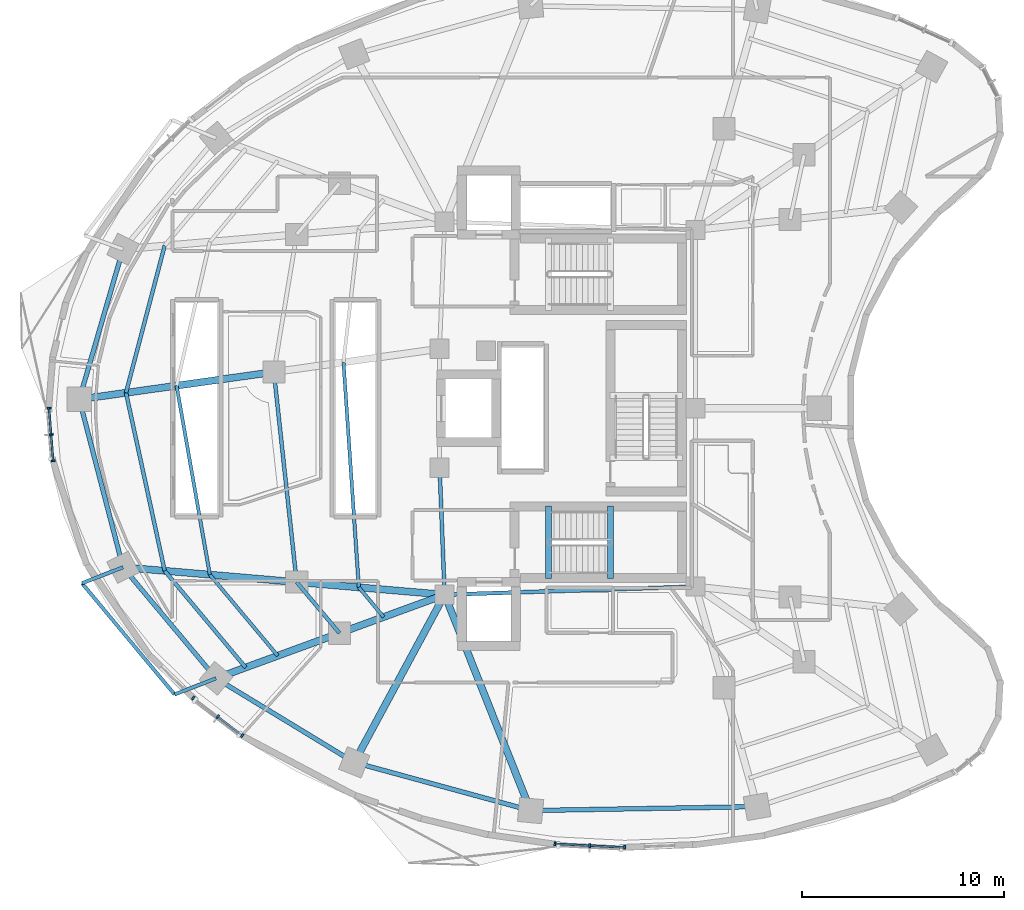
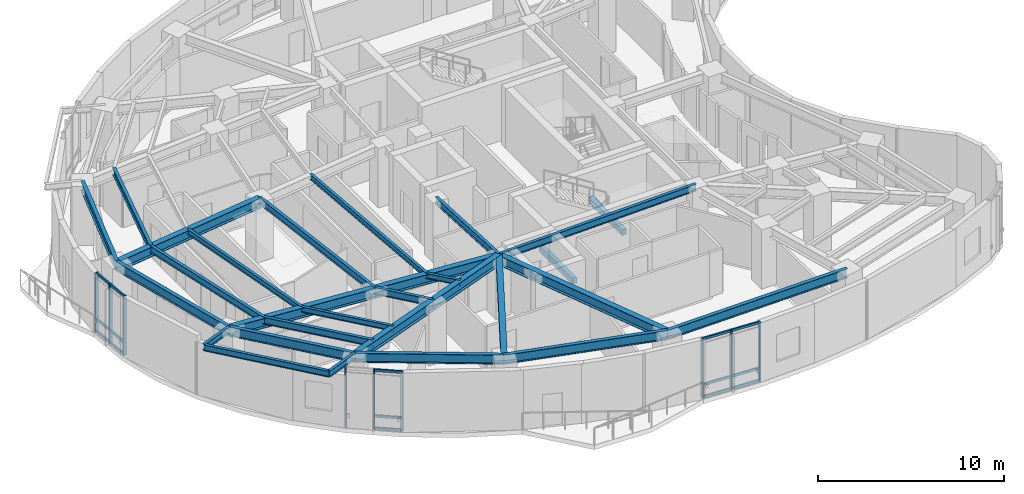
# One storey, part 2 of 15: 29 beams, 24 members, 3 elements without a shape of their own.
"""IFC4 building model written with IfcOpenShell, lengths in metres."""

from ifc_helpers import new_model, si_unit, direction, frame, origin, origin_2d, place, context, subcontext, project, spatial, rectangle, i_section, extrude, material, layer, layer_set, material_profile, profile_set, type_object, element, aggregate, save


model = new_model("IFC4")

# Units and contexts
model_context = context("Model", 3, precision=1e-05, world=origin(), true_north=direction((0.0, 1.0)))
body_context = subcontext(model_context, "Body", "Model", "MODEL_VIEW")
ifc_project = project(units=[si_unit("LENGTHUNIT", "METRE"), si_unit("AREAUNIT", "SQUARE_METRE"), si_unit("VOLUMEUNIT", "CUBIC_METRE"), si_unit("PLANEANGLEUNIT", "RADIAN"), si_unit("MASSUNIT", "GRAM", prefix="KILO")], contexts=[model_context])

# Site, building, storey
site_placement = place(None, origin())
site = spatial("IfcSite", under=ifc_project, at=site_placement, CompositionType="ELEMENT")
building_placement = place(site_placement, origin())
building = spatial("IfcBuilding", under=site, at=building_placement, Name="Korentha Bioscience Tower", CompositionType="ELEMENT")
storey_placement = place(building_placement, frame((0.0, 0.0, 94.199951171875)))
storey = spatial("IfcBuildingStorey", under=building, at=storey_placement, Name="L21", CompositionType="ELEMENT", Elevation=94.199951171875)

# Beams
ifc_material_1 = material(Name="Concrete C50", Category="concrete")
ifc_material_profile_1 = material_profile(ifc_material_1, rectangle(XDim=0.280029296875, YDim=0.3798828125, at=origin_2d()), Name="Concrete C50")
ifc_profile_set_1 = profile_set([ifc_material_profile_1], Name="Concrete C50 (ST-HB380)")
beam_type_1 = type_object("IfcBeamType", Name="Concrete Stair Header Beam RC 280x380", PredefinedType="BEAM", material=ifc_profile_set_1)
for number, where, z_axis, x_axis, name in (
    (1, (30.25, 18.550048828125, -0.18994140625), (0.0, 1.0, 0.0), (-1.0, 0.0, 0.0), "L21 ST-2 Concrete Stair Header Beam"),
    (2, (33.330078125, 18.550048828125, 1.91015625), (0.0, 1.0, 0.0), (-1.0, 0.0, 0.0), "L21 ST-2 Half-Landing Header Beam 1"),
):
    element("IfcBeam", number, at=place(storey_placement, frame(where, z_axis=z_axis, x_axis=x_axis)), inside=storey, type_object=beam_type_1, Name=name, PredefinedType="BEAM", context=body_context, shape_type="SweptSolid", body=[
        extrude(rectangle(XDim=0.280029296875, YDim=0.3798828125, at=origin_2d()), origin(), (0.0, 0.0, 1.0), 3.599853515625),
    ])
ifc_material_2 = material(Name="Steel S355", Category="steel")
ifc_material_profile_2 = material_profile(ifc_material_2, i_section(OverallWidth=0.18994140625, OverallDepth=0.45703125, WebThickness=0.009033203125, FlangeThickness=0.014404296875, at=origin_2d()), Name="Steel S355")
ifc_profile_set_2 = profile_set([ifc_material_profile_2], Name="Steel S355 (MB-460)")
beam_type_2 = type_object("IfcBeamType", Name="Mid-Ring Tie Girder W460x74", PredefinedType="BEAM", material=ifc_profile_set_2)
beam_1_placement = place(storey_placement, frame((16.627197265625, 28.796630859375, 3.671630859375), z_axis=(0.108002632645, -0.994150607977, 0.0), x_axis=(0.994150607977, 0.108002632645, 0.0)))
element("IfcBeam", 3, at=beam_1_placement, inside=storey, type_object=beam_type_2, Name="L21 Mid-Ring Tie Girder 07", PredefinedType="BEAM", context=body_context, shape_type="SweptSolid", body=[
    extrude(i_section(OverallWidth=0.18994140625, OverallDepth=0.45703125, WebThickness=0.009033203125, FlangeThickness=0.014404296875, at=origin_2d()), origin(), (0.0, 0.0, 1.0), 10.48193359375),
])
beam_2_placement = place(storey_placement, frame((17.75927734375, 18.3759765625, 3.671630859375), z_axis=(0.642121371708, -0.766602989817, 0.0), x_axis=(0.766602989817, 0.642121371708, 0.0)))
element("IfcBeam", 4, at=beam_2_placement, inside=storey, type_object=beam_type_2, Name="L21 Mid-Ring Tie Girder 08", PredefinedType="BEAM", context=body_context, shape_type="SweptSolid", body=[
    extrude(i_section(OverallWidth=0.18994140625, OverallDepth=0.45703125, WebThickness=0.009033203125, FlangeThickness=0.014404296875, at=origin_2d()), origin(), (0.0, 0.0, 1.0), 3.306640625),
])
beam_3_placement = place(storey_placement, frame((24.85009765625, 24.050048828125, 3.671630859375), z_axis=(0.039651025576, -0.999213588864, 0.0), x_axis=(0.999213588864, 0.039651025576, 0.0)))
element("IfcBeam", 5, at=beam_3_placement, inside=storey, type_object=beam_type_2, Name="L21 Core Ring Tie Girder 04", PredefinedType="BEAM", context=body_context, shape_type="SweptSolid", body=[
    extrude(i_section(OverallWidth=0.18994140625, OverallDepth=0.45703125, WebThickness=0.009033203125, FlangeThickness=0.014404296875, at=origin_2d()), origin(), (0.0, 0.0, 1.0), 6.304931640625),
])
beam_4_placement = place(storey_placement, frame((25.10009765625, 17.75, 3.671630859375), z_axis=(0.999484526071, 0.032104238723, 0.0), x_axis=(-0.032104238723, 0.999484526071, 0.0)))
element("IfcBeam", 6, at=beam_4_placement, inside=storey, type_object=beam_type_2, Name="L21 Core Ring Tie Girder 05", PredefinedType="BEAM", context=body_context, shape_type="SweptSolid", body=[
    extrude(i_section(OverallWidth=0.18994140625, OverallDepth=0.45703125, WebThickness=0.009033203125, FlangeThickness=0.014404296875, at=origin_2d()), origin(), (0.0, 0.0, 1.0), 12.456298828125),
])

# Curtain wall, members
ifc_material_3 = material(Name="Thermally Broken Aluminium Frame", Category="aluminium")
ifc_layer = layer(ifc_material_3, 0.219970703125, Name="Thermally Broken Aluminium Frame")
ifc_layer_set = layer_set([ifc_layer], Name="Thermally Broken Aluminium Frame (CW-T2)")
curtain_wall_type = type_object("IfcCurtainWallType", Name="Solar-Screened Lab Unitised Curtain Wall CW-T2", PredefinedType="USERDEFINED", material=ifc_layer_set)
curtain_wall_1_placement = place(storey_placement, origin())
curtain_wall_1 = element("IfcCurtainWall", 7, at=curtain_wall_1_placement, inside=storey, type_object=curtain_wall_type, Name="L21 Curtain Wall 19", ObjectType="UNITISED", PredefinedType="USERDEFINED")
ifc_material_4 = material(Name="Anodised Aluminium 6063-T6", Category="aluminium")
ifc_material_profile_3 = material_profile(ifc_material_4, rectangle(XDim=0.090087890625, YDim=0.199951171875, at=origin_2d()), Name="Anodised Aluminium 6063-T6")
ifc_profile_set_3 = profile_set([ifc_material_profile_3], Name="Anodised Aluminium 6063-T6 (CW-MUL)")
member_type_1 = type_object("IfcMemberType", Name="Mullion RECT 90x200", PredefinedType="MULLION", material=ifc_profile_set_3)
member_1_placement = place(storey_placement, frame((5.473876953125, 27.0078125, 0.0), z_axis=(0.0, 0.0, 1.0), x_axis=(0.079130214674, -0.996864288219, 0.0)))
member_1 = element("IfcMember", 8, at=member_1_placement, type_object=member_type_1, Name="CW-L21-19 Mullion 1", PredefinedType="MULLION", context=body_context, shape_type="SweptSolid", body=[
    extrude(rectangle(XDim=0.090087890625, YDim=0.199951171875, at=origin_2d()), origin(), (0.0, 0.0, 1.0), 3.900146484375),
])
member_2_placement = place(storey_placement, frame((5.577880859375, 25.6962890625, 0.0), z_axis=(0.0, 0.0, 1.0), x_axis=(0.079130214674, -0.996864288219, 0.0)))
member_2 = element("IfcMember", 9, at=member_2_placement, type_object=member_type_1, Name="CW-L21-19 Mullion 2", PredefinedType="MULLION", context=body_context, shape_type="SweptSolid", body=[
    extrude(rectangle(XDim=0.090087890625, YDim=0.199951171875, at=origin_2d()), origin(), (0.0, 0.0, 1.0), 3.900146484375),
])
member_3_placement = place(storey_placement, frame((5.681884765625, 24.38525390625, 0.0), z_axis=(0.0, 0.0, 1.0), x_axis=(0.079130214674, -0.996864288219, 0.0)))
member_3 = element("IfcMember", 10, at=member_3_placement, type_object=member_type_1, Name="CW-L21-19 Mullion 3", PredefinedType="MULLION", context=body_context, shape_type="SweptSolid", body=[
    extrude(rectangle(XDim=0.090087890625, YDim=0.199951171875, at=origin_2d()), origin(), (0.0, 0.0, 1.0), 3.900146484375),
])

curtain_wall_2_placement = place(storey_placement, origin())
curtain_wall_2 = element("IfcCurtainWall", 11, at=curtain_wall_2_placement, inside=storey, type_object=curtain_wall_type, Name="L21 Curtain Wall 25", ObjectType="UNITISED", PredefinedType="USERDEFINED")
member_4_placement = place(storey_placement, frame((12.624267578125, 12.62890625, 0.0), z_axis=(0.0, 0.0, 1.0), x_axis=(0.794499603893, -0.607264669986, 0.0)))
member_4 = element("IfcMember", 12, at=member_4_placement, type_object=member_type_1, Name="CW-L21-25 Mullion 1", PredefinedType="MULLION", context=body_context, shape_type="SweptSolid", body=[
    extrude(rectangle(XDim=0.090087890625, YDim=0.199951171875, at=origin_2d()), origin(), (0.0, 0.0, 1.0), 3.900146484375),
])
member_5_placement = place(storey_placement, frame((13.844970703125, 11.69580078125, 0.0), z_axis=(0.0, 0.0, 1.0), x_axis=(0.794499603893, -0.607264669986, 0.0)))
member_5 = element("IfcMember", 13, at=member_5_placement, type_object=member_type_1, Name="CW-L21-25 Mullion 2", PredefinedType="MULLION", context=body_context, shape_type="SweptSolid", body=[
    extrude(rectangle(XDim=0.090087890625, YDim=0.199951171875, at=origin_2d()), origin(), (0.0, 0.0, 1.0), 3.900146484375),
])
member_6_placement = place(storey_placement, frame((15.0654296875, 10.7626953125, 0.0), z_axis=(0.0, 0.0, 1.0), x_axis=(0.794499603893, -0.607264669986, 0.0)))
member_6 = element("IfcMember", 14, at=member_6_placement, type_object=member_type_1, Name="CW-L21-25 Mullion 3", PredefinedType="MULLION", context=body_context, shape_type="SweptSolid", body=[
    extrude(rectangle(XDim=0.090087890625, YDim=0.199951171875, at=origin_2d()), origin(), (0.0, 0.0, 1.0), 3.900146484375),
])

curtain_wall_3_placement = place(storey_placement, origin())
curtain_wall_3 = element("IfcCurtainWall", 15, at=curtain_wall_3_placement, inside=storey, type_object=curtain_wall_type, Name="L21 Curtain Wall 31", ObjectType="UNITISED", PredefinedType="USERDEFINED")
member_7_placement = place(storey_placement, frame((30.571533203125, 5.39111328125, 0.0), z_axis=(0.0, 0.0, 1.0), x_axis=(0.998673231344, -0.051495407527, 0.0)))
member_7 = element("IfcMember", 16, at=member_7_placement, type_object=member_type_1, Name="CW-L21-31 Mullion 1", PredefinedType="MULLION", context=body_context, shape_type="SweptSolid", body=[
    extrude(rectangle(XDim=0.090087890625, YDim=0.199951171875, at=origin_2d()), origin(), (0.0, 0.0, 1.0), 3.900146484375),
])
member_8_placement = place(storey_placement, frame((32.301025390625, 5.302001953125, 0.0), z_axis=(0.0, 0.0, 1.0), x_axis=(0.998673231344, -0.051495407527, 0.0)))
member_8 = element("IfcMember", 17, at=member_8_placement, type_object=member_type_1, Name="CW-L21-31 Mullion 2", PredefinedType="MULLION", context=body_context, shape_type="SweptSolid", body=[
    extrude(rectangle(XDim=0.090087890625, YDim=0.199951171875, at=origin_2d()), origin(), (0.0, 0.0, 1.0), 3.900146484375),
])
member_9_placement = place(storey_placement, frame((34.03076171875, 5.212646484375, 0.0), z_axis=(0.0, 0.0, 1.0), x_axis=(0.998673231344, -0.051495407527, 0.0)))
member_9 = element("IfcMember", 18, at=member_9_placement, type_object=member_type_1, Name="CW-L21-31 Mullion 3", PredefinedType="MULLION", context=body_context, shape_type="SweptSolid", body=[
    extrude(rectangle(XDim=0.090087890625, YDim=0.199951171875, at=origin_2d()), origin(), (0.0, 0.0, 1.0), 3.900146484375),
])

# Beams
ifc_material_profile_4 = material_profile(ifc_material_2, i_section(OverallWidth=0.22802734375, OverallDepth=0.60791015625, WebThickness=0.01123046875, FlangeThickness=0.017333984375, at=origin_2d()), Name="Steel S355")
ifc_profile_set_4 = profile_set([ifc_material_profile_4], Name="Steel S355 (SB-610)")
beam_type_3 = type_object("IfcBeamType", Name="Perimeter Ring Spandrel Girder W610x113", PredefinedType="SPANDREL", material=ifc_profile_set_4)
beam_5_placement = place(storey_placement, frame((9.141845703125, 34.889404296875, 3.595947265625), z_axis=(-0.279486251653, -0.960149694129, 0.0), x_axis=(0.960149694129, -0.279486251653, 0.0)))
element("IfcBeam", 19, at=beam_5_placement, inside=storey, type_object=beam_type_3, Name="L21 Perimeter Spandrel Girder 06", PredefinedType="SPANDREL", context=body_context, shape_type="SweptSolid", body=[
    extrude(i_section(OverallWidth=0.22802734375, OverallDepth=0.60791015625, WebThickness=0.01123046875, FlangeThickness=0.017333984375, at=origin_2d()), origin(), (0.0, 0.0, 1.0), 7.756103515625),
])
beam_6_placement = place(storey_placement, frame((6.97412109375, 27.4423828125, 3.595947265625), z_axis=(0.251792692694, -0.96778119423, 0.0), x_axis=(0.96778119423, 0.251792692694, 0.0)))
element("IfcBeam", 20, at=beam_6_placement, inside=storey, type_object=beam_type_3, Name="L21 Perimeter Spandrel Girder 07", PredefinedType="SPANDREL", context=body_context, shape_type="SweptSolid", body=[
    extrude(i_section(OverallWidth=0.22802734375, OverallDepth=0.60791015625, WebThickness=0.01123046875, FlangeThickness=0.017333984375, at=origin_2d()), origin(), (0.0, 0.0, 1.0), 8.609130859375),
])
beam_7_placement = place(storey_placement, frame((9.141845703125, 19.110595703125, 3.595947265625), z_axis=(0.642126556076, -0.76659864726, 0.0), x_axis=(0.76659864726, 0.642126556076, 0.0)))
element("IfcBeam", 21, at=beam_7_placement, inside=storey, type_object=beam_type_3, Name="L21 Perimeter Spandrel Girder 08", PredefinedType="SPANDREL", context=body_context, shape_type="SweptSolid", body=[
    extrude(i_section(OverallWidth=0.22802734375, OverallDepth=0.60791015625, WebThickness=0.01123046875, FlangeThickness=0.017333984375, at=origin_2d()), origin(), (0.0, 0.0, 1.0), 7.1884765625),
])
beam_8_placement = place(storey_placement, frame((13.7578125, 13.599853515625, 3.595947265625), z_axis=(0.854461040474, -0.51951547649, 0.0), x_axis=(0.51951547649, 0.854461040474, 0.0)))
element("IfcBeam", 22, at=beam_8_placement, inside=storey, type_object=beam_type_3, Name="L21 Perimeter Spandrel Girder 09", PredefinedType="SPANDREL", context=body_context, shape_type="SweptSolid", body=[
    extrude(i_section(OverallWidth=0.22802734375, OverallDepth=0.60791015625, WebThickness=0.01123046875, FlangeThickness=0.017333984375, at=origin_2d()), origin(), (0.0, 0.0, 1.0), 8.025146484375),
])
beam_9_placement = place(storey_placement, frame((20.614990234375, 9.4306640625, 3.595947265625), z_axis=(0.964659386444, -0.263500034431, 0.0), x_axis=(0.263500034431, 0.964659386444, 0.0)))
element("IfcBeam", 23, at=beam_9_placement, inside=storey, type_object=beam_type_3, Name="L21 Perimeter Spandrel Girder 10", PredefinedType="SPANDREL", context=body_context, shape_type="SweptSolid", body=[
    extrude(i_section(OverallWidth=0.22802734375, OverallDepth=0.60791015625, WebThickness=0.01123046875, FlangeThickness=0.017333984375, at=origin_2d()), origin(), (0.0, 0.0, 1.0), 9.06982421875),
])
beam_10_placement = place(storey_placement, frame((29.3642578125, 7.040771484375, 3.595947265625), z_axis=(0.999850566826, 0.017287105523, 0.0), x_axis=(-0.017287105523, 0.999850566826, 0.0)))
element("IfcBeam", 24, at=beam_10_placement, inside=storey, type_object=beam_type_3, Name="L21 Perimeter Spandrel Girder 11", PredefinedType="SPANDREL", context=body_context, shape_type="SweptSolid", body=[
    extrude(i_section(OverallWidth=0.22802734375, OverallDepth=0.60791015625, WebThickness=0.01123046875, FlangeThickness=0.017333984375, at=origin_2d()), origin(), (0.0, 0.0, 1.0), 11.24169921875),
])
ifc_material_profile_5 = material_profile(ifc_material_2, i_section(OverallWidth=0.18994140625, OverallDepth=0.45703125, WebThickness=0.009033203125, FlangeThickness=0.014404296875, at=origin_2d()), Name="Steel S355")
ifc_profile_set_5 = profile_set([ifc_material_profile_5], Name="Steel S355 (RB-460)")
beam_type_4 = type_object("IfcBeamType", Name="Radial Laboratory Beam W460x74", PredefinedType="BEAM", material=ifc_profile_set_5)
beam_11_placement = place(storey_placement, frame((11.2099609375, 35.065673828125, 3.671630859375), z_axis=(-0.254294231014, -0.967126901742, 0.0), x_axis=(0.967126901742, -0.254294231014, 0.0)))
element("IfcBeam", 25, at=beam_11_placement, inside=storey, type_object=beam_type_4, Name="L21 Secondary Floor Beam JSTO-06", PredefinedType="BEAM", context=body_context, shape_type="SweptSolid", body=[
    extrude(i_section(OverallWidth=0.18994140625, OverallDepth=0.45703125, WebThickness=0.009033203125, FlangeThickness=0.014404296875, at=origin_2d()), origin(), (0.0, 0.0, 1.0), 7.546142578125),
])
beam_12_placement = place(storey_placement, frame((9.291015625, 27.767578125, 3.671630859375), z_axis=(0.212289478944, -0.977206824132, 0.0), x_axis=(0.977206824132, 0.212289478944, 0.0)))
element("IfcBeam", 26, at=beam_12_placement, inside=storey, type_object=beam_type_4, Name="L21 Secondary Floor Beam JSTO-07", PredefinedType="BEAM", context=body_context, shape_type="SweptSolid", body=[
    extrude(i_section(OverallWidth=0.18994140625, OverallDepth=0.45703125, WebThickness=0.009033203125, FlangeThickness=0.014404296875, at=origin_2d()), origin(), (0.0, 0.0, 1.0), 9.039306640625),
])
beam_13_placement = place(storey_placement, frame((11.2099609375, 18.934326171875, 3.671630859375), z_axis=(0.642128156066, -0.766597307057, 0.0), x_axis=(0.766597307057, 0.642128156066, 0.0)))
element("IfcBeam", 27, at=beam_13_placement, inside=storey, type_object=beam_type_4, Name="L21 Secondary Floor Beam JSTO-08", PredefinedType="BEAM", context=body_context, shape_type="SweptSolid", body=[
    extrude(i_section(OverallWidth=0.18994140625, OverallDepth=0.45703125, WebThickness=0.009033203125, FlangeThickness=0.014404296875, at=origin_2d()), origin(), (0.0, 0.0, 1.0), 6.257080078125),
])
ifc_material_profile_6 = material_profile(ifc_material_2, i_section(OverallWidth=0.35009765625, OverallDepth=0.64990234375, WebThickness=0.01611328125, FlangeThickness=0.02490234375, at=origin_2d()), Name="Steel S355")
ifc_profile_set_6 = profile_set([ifc_material_profile_6], Name="Steel S355 (RB-650)")
beam_type_5 = type_object("IfcBeamType", Name="Radial Laboratory Girder CVS 650x208", PredefinedType="BEAM", material=ifc_profile_set_6)
beam_14_placement = place(storey_placement, frame((16.627197265625, 28.796630859375, 3.574951171875), z_axis=(-0.99030201931, -0.138931315944, 0.0), x_axis=(0.138931315944, -0.99030201931, 0.0)))
element("IfcBeam", 28, at=beam_14_placement, inside=storey, type_object=beam_type_5, Name="L21 Outer Radial Girder 07", PredefinedType="BEAM", context=body_context, shape_type="SweptSolid", body=[
    extrude(i_section(OverallWidth=0.35009765625, OverallDepth=0.64990234375, WebThickness=0.01611328125, FlangeThickness=0.02490234375, at=origin_2d()), origin(), (0.0, 0.0, 1.0), 9.74755859375),
])
beam_15_placement = place(storey_placement, frame((25.10009765625, 17.75, 3.574951171875), z_axis=(-0.996383934197, 0.084965026183, 0.0), x_axis=(-0.084965026183, -0.996383934197, 0.0)))
element("IfcBeam", 29, at=beam_15_placement, inside=storey, type_object=beam_type_5, Name="L21 Inner Radial Girder 08", PredefinedType="BEAM", context=body_context, shape_type="SweptSolid", body=[
    extrude(i_section(OverallWidth=0.35009765625, OverallDepth=0.64990234375, WebThickness=0.01611328125, FlangeThickness=0.02490234375, at=origin_2d()), origin(), (0.0, 0.0, 1.0), 7.367431640625),
])
beam_16_placement = place(storey_placement, frame((17.75927734375, 18.3759765625, 3.574951171875), z_axis=(-0.996386071548, 0.084939957767, 0.0), x_axis=(-0.084939957767, -0.996386071548, 0.0)))
element("IfcBeam", 30, at=beam_16_placement, inside=storey, type_object=beam_type_5, Name="L21 Outer Radial Girder 08", PredefinedType="BEAM", context=body_context, shape_type="SweptSolid", body=[
    extrude(i_section(OverallWidth=0.35009765625, OverallDepth=0.64990234375, WebThickness=0.01611328125, FlangeThickness=0.02490234375, at=origin_2d()), origin(), (0.0, 0.0, 1.0), 8.648681640625),
])
beam_17_placement = place(storey_placement, frame((25.10009765625, 17.75, 3.574951171875), z_axis=(-0.939118010396, -0.343594765022, 0.0), x_axis=(0.343594765022, -0.939118010396, 0.0)))
element("IfcBeam", 31, at=beam_17_placement, inside=storey, type_object=beam_type_5, Name="L21 Inner Radial Girder 09", PredefinedType="BEAM", context=body_context, shape_type="SweptSolid", body=[
    extrude(i_section(OverallWidth=0.35009765625, OverallDepth=0.64990234375, WebThickness=0.01611328125, FlangeThickness=0.02490234375, at=origin_2d()), origin(), (0.0, 0.0, 1.0), 5.5556640625),
])
beam_18_placement = place(storey_placement, frame((19.882568359375, 15.841064453125, 3.574951171875), z_axis=(-0.939100755225, -0.343641923425, 0.0), x_axis=(0.343641923425, -0.939100755225, 0.0)))
element("IfcBeam", 32, at=beam_18_placement, inside=storey, type_object=beam_type_5, Name="L21 Outer Radial Girder 09", PredefinedType="BEAM", context=body_context, shape_type="SweptSolid", body=[
    extrude(i_section(OverallWidth=0.35009765625, OverallDepth=0.64990234375, WebThickness=0.01611328125, FlangeThickness=0.02490234375, at=origin_2d()), origin(), (0.0, 0.0, 1.0), 6.52197265625),
])
beam_19_placement = place(storey_placement, frame((25.10009765625, 17.75, 3.574951171875), z_axis=(-0.474548018732, -0.880229616587, 0.0), x_axis=(0.880229616587, -0.474548018732, 0.0)))
element("IfcBeam", 33, at=beam_19_placement, inside=storey, type_object=beam_type_5, Name="L21 Radial Girder 10", PredefinedType="BEAM", context=body_context, shape_type="SweptSolid", body=[
    extrude(i_section(OverallWidth=0.35009765625, OverallDepth=0.64990234375, WebThickness=0.01611328125, FlangeThickness=0.02490234375, at=origin_2d()), origin(), (0.0, 0.0, 1.0), 9.451416015625),
])
beam_20_placement = place(storey_placement, frame((25.10009765625, 17.75, 3.574951171875), z_axis=(0.369929528493, -0.929059817207, 0.0), x_axis=(0.929059817207, 0.369929528493, 0.0)))
element("IfcBeam", 34, at=beam_20_placement, inside=storey, type_object=beam_type_5, Name="L21 Radial Girder 11", PredefinedType="BEAM", context=body_context, shape_type="SweptSolid", body=[
    extrude(i_section(OverallWidth=0.35009765625, OverallDepth=0.64990234375, WebThickness=0.01611328125, FlangeThickness=0.02490234375, at=origin_2d()), origin(), (0.0, 0.0, 1.0), 11.52685546875),
])
ifc_material_profile_7 = material_profile(ifc_material_2, i_section(OverallWidth=0.1708984375, OverallDepth=0.35498046875, WebThickness=0.007080078125, FlangeThickness=0.01171875, at=origin_2d()), Name="Steel S355")
ifc_profile_set_7 = profile_set([ifc_material_profile_7], Name="Steel S355 (JB-360)")
beam_type_6 = type_object("IfcBeamType", Name="Secondary Laboratory Joist W360x51", PredefinedType="JOIST", material=ifc_profile_set_7)
beam_21_placement = place(storey_placement, frame((11.800537109375, 28.11962890625, 3.72265625), z_axis=(0.173304009699, -0.984868377105, 0.0), x_axis=(0.984868377105, 0.173304009699, 0.0)))
element("IfcBeam", 35, at=beam_21_placement, inside=storey, type_object=beam_type_6, Name="L21 Secondary Floor Beam JST-07", PredefinedType="JOIST", context=body_context, shape_type="SweptSolid", body=[
    extrude(i_section(OverallWidth=0.1708984375, OverallDepth=0.35498046875, WebThickness=0.007080078125, FlangeThickness=0.01171875, at=origin_2d()), origin(), (0.0, 0.0, 1.0), 9.520263671875),
])
beam_22_placement = place(storey_placement, frame((20.080810546875, 29.281005859375, 3.72265625), z_axis=(0.068025861704, -0.997683558118, 0.0), x_axis=(0.997683558118, 0.068025861704, 0.0)))
element("IfcBeam", 36, at=beam_22_placement, inside=storey, type_object=beam_type_6, Name="L21 Inner Bay Joist 07", PredefinedType="JOIST", context=body_context, shape_type="SweptSolid", body=[
    extrude(i_section(OverallWidth=0.1708984375, OverallDepth=0.35498046875, WebThickness=0.007080078125, FlangeThickness=0.01171875, at=origin_2d()), origin(), (0.0, 0.0, 1.0), 11.19384765625),
])
beam_23_placement = place(storey_placement, frame((13.450439453125, 18.743408203125, 3.72265625), z_axis=(0.642140812018, -0.76658670582, 0.0), x_axis=(0.76658670582, 0.642140812018, 0.0)))
element("IfcBeam", 37, at=beam_23_placement, inside=storey, type_object=beam_type_6, Name="L21 Secondary Floor Beam JST-08", PredefinedType="JOIST", context=body_context, shape_type="SweptSolid", body=[
    extrude(i_section(OverallWidth=0.1708984375, OverallDepth=0.35498046875, WebThickness=0.007080078125, FlangeThickness=0.01171875, at=origin_2d()), origin(), (0.0, 0.0, 1.0), 5.247802734375),
])
beam_24_placement = place(storey_placement, frame((20.84228515625, 18.113037109375, 3.72265625), z_axis=(0.64218549873, -0.766549271229, 0.0), x_axis=(0.766549271229, 0.64218549873, 0.0)))
element("IfcBeam", 38, at=beam_24_placement, inside=storey, type_object=beam_type_6, Name="L21 Inner Bay Joist 08", PredefinedType="JOIST", context=body_context, shape_type="SweptSolid", body=[
    extrude(i_section(OverallWidth=0.1708984375, OverallDepth=0.35498046875, WebThickness=0.007080078125, FlangeThickness=0.01171875, at=origin_2d()), origin(), (0.0, 0.0, 1.0), 1.91796875),
])
ifc_material_profile_8 = material_profile(ifc_material_2, i_section(OverallWidth=0.177978515625, OverallDepth=0.406982421875, WebThickness=0.0078125, FlangeThickness=0.0126953125, at=origin_2d()), Name="Steel S355")
ifc_profile_set_8 = profile_set([ifc_material_profile_8], Name="Steel S355 (CB-410)")
beam_type_7 = type_object("IfcBeamType", Name="Sun-Ledge Cantilever Beam W410x60", PredefinedType="BEAM", material=ifc_profile_set_8)
beam_25_placement = place(storey_placement, frame((9.141845703125, 19.110595703125, 3.698486328125), z_axis=(-0.931676534019, -0.363288915272, 0.0), x_axis=(0.363288915272, -0.931676534019, 0.0)))
element("IfcBeam", 39, at=beam_25_placement, inside=storey, type_object=beam_type_7, Name="L21 Balcony Cantilever Bracket A-L22-03", PredefinedType="BEAM", context=body_context, shape_type="SweptSolid", body=[
    extrude(i_section(OverallWidth=0.177978515625, OverallDepth=0.406982421875, WebThickness=0.0078125, FlangeThickness=0.0126953125, at=origin_2d()), origin(), (0.0, 0.0, 1.0), 2.1806640625),
])
beam_26_placement = place(storey_placement, frame((13.7578125, 13.599853515625, 3.698486328125), z_axis=(-0.931734058868, -0.363141354771, 0.0), x_axis=(0.363141354771, -0.931734058868, 0.0)))
element("IfcBeam", 40, at=beam_26_placement, inside=storey, type_object=beam_type_7, Name="L21 Balcony Cantilever Bracket B-L22-03", PredefinedType="BEAM", context=body_context, shape_type="SweptSolid", body=[
    extrude(i_section(OverallWidth=0.177978515625, OverallDepth=0.406982421875, WebThickness=0.0078125, FlangeThickness=0.0126953125, at=origin_2d()), origin(), (0.0, 0.0, 1.0), 2.203125),
])
beam_27_placement = place(storey_placement, frame((7.110107421875, 18.318359375, 3.698486328125), z_axis=(0.639870007029, -0.76848316449, 0.0), x_axis=(0.76848316449, 0.639870007029, 0.0)))
element("IfcBeam", 41, at=beam_27_placement, inside=storey, type_object=beam_type_7, Name="L21 Balcony Edge Trimmer Beam L22-03", PredefinedType="BEAM", context=body_context, shape_type="SweptSolid", body=[
    extrude(i_section(OverallWidth=0.177978515625, OverallDepth=0.406982421875, WebThickness=0.0078125, FlangeThickness=0.0126953125, at=origin_2d()), origin(), (0.0, 0.0, 1.0), 7.18115234375),
])

# Member
ifc_material_profile_9 = material_profile(ifc_material_4, rectangle(XDim=0.090087890625, YDim=0.159912109375, at=origin_2d()), Name="Anodised Aluminium 6063-T6")
ifc_profile_set_9 = profile_set([ifc_material_profile_9], Name="Anodised Aluminium 6063-T6 (CW-TRN)")
member_type_2 = type_object("IfcMemberType", Name="Transom RECT 90x160", PredefinedType="USERDEFINED", material=ifc_profile_set_9)
member_10_placement = place(storey_placement, frame((5.477294921875, 26.962890625, 0.045166015625), z_axis=(0.079285983344, -0.996851911191, 0.0), x_axis=(0.996851911191, 0.079285983344, 0.0)))
member_10 = element("IfcMember", 42, at=member_10_placement, type_object=member_type_2, Name="CW-L21-19 Bay 1 Transom 1", ObjectType="TRANSOM", PredefinedType="USERDEFINED", context=body_context, shape_type="SweptSolid", body=[
    extrude(rectangle(XDim=0.090087890625, YDim=0.159912109375, at=origin_2d()), origin(), (0.0, 0.0, 1.0), 1.2255859375),
])

member_11_placement = place(storey_placement, frame((5.477294921875, 26.962890625, 0.85009765625), z_axis=(0.079285983344, -0.996851911191, 0.0), x_axis=(0.996851911191, 0.079285983344, 0.0)))
member_11 = element("IfcMember", 43, at=member_11_placement, type_object=member_type_2, Name="CW-L21-19 Bay 1 Transom 2", ObjectType="TRANSOM", PredefinedType="USERDEFINED", context=body_context, shape_type="SweptSolid", body=[
    extrude(rectangle(XDim=0.090087890625, YDim=0.159912109375, at=origin_2d()), origin(), (0.0, 0.0, 1.0), 1.2255859375),
])

member_12_placement = place(storey_placement, frame((5.477294921875, 26.962890625, 3.85498046875), z_axis=(0.079285983344, -0.996851911191, 0.0), x_axis=(0.996851911191, 0.079285983344, 0.0)))
member_12 = element("IfcMember", 44, at=member_12_placement, type_object=member_type_2, Name="CW-L21-19 Bay 1 Transom 3", ObjectType="TRANSOM", PredefinedType="USERDEFINED", context=body_context, shape_type="SweptSolid", body=[
    extrude(rectangle(XDim=0.090087890625, YDim=0.159912109375, at=origin_2d()), origin(), (0.0, 0.0, 1.0), 1.2255859375),
])

member_13_placement = place(storey_placement, frame((5.58154296875, 25.651611328125, 0.045166015625), z_axis=(0.079088019938, -0.996867636701, 0.0), x_axis=(0.996867636701, 0.079088019938, 0.0)))
member_13 = element("IfcMember", 45, at=member_13_placement, type_object=member_type_2, Name="CW-L21-19 Bay 2 Transom 1", ObjectType="TRANSOM", PredefinedType="USERDEFINED", context=body_context, shape_type="SweptSolid", body=[
    extrude(rectangle(XDim=0.090087890625, YDim=0.159912109375, at=origin_2d()), origin(), (0.0, 0.0, 1.0), 1.2255859375),
])

member_14_placement = place(storey_placement, frame((5.58154296875, 25.651611328125, 0.85009765625), z_axis=(0.079088019938, -0.996867636701, 0.0), x_axis=(0.996867636701, 0.079088019938, 0.0)))
member_14 = element("IfcMember", 46, at=member_14_placement, type_object=member_type_2, Name="CW-L21-19 Bay 2 Transom 2", ObjectType="TRANSOM", PredefinedType="USERDEFINED", context=body_context, shape_type="SweptSolid", body=[
    extrude(rectangle(XDim=0.090087890625, YDim=0.159912109375, at=origin_2d()), origin(), (0.0, 0.0, 1.0), 1.2255859375),
])

member_15_placement = place(storey_placement, frame((5.58154296875, 25.651611328125, 3.85498046875), z_axis=(0.079088019938, -0.996867636701, 0.0), x_axis=(0.996867636701, 0.079088019938, 0.0)))
member_15 = element("IfcMember", 47, at=member_15_placement, type_object=member_type_2, Name="CW-L21-19 Bay 2 Transom 3", ObjectType="TRANSOM", PredefinedType="USERDEFINED", context=body_context, shape_type="SweptSolid", body=[
    extrude(rectangle(XDim=0.090087890625, YDim=0.159912109375, at=origin_2d()), origin(), (0.0, 0.0, 1.0), 1.2255859375),
])

aggregate(curtain_wall_1, [member_1, member_2, member_3, member_10, member_11, member_12, member_13, member_14, member_15])

member_16_placement = place(storey_placement, frame((13.880615234375, 11.66845703125, 0.045166015625), z_axis=(0.794477589546, -0.607293470828, 0.0), x_axis=(0.607293470828, 0.794477589546, 0.0)))
member_16 = element("IfcMember", 48, at=member_16_placement, type_object=member_type_2, Name="CW-L21-25 Bay 2 Transom 1", ObjectType="TRANSOM", PredefinedType="USERDEFINED", context=body_context, shape_type="SweptSolid", body=[
    extrude(rectangle(XDim=0.090087890625, YDim=0.159912109375, at=origin_2d()), origin(), (0.0, 0.0, 1.0), 1.446533203125),
])

member_17_placement = place(storey_placement, frame((13.880615234375, 11.66845703125, 0.85009765625), z_axis=(0.794477589546, -0.607293470828, 0.0), x_axis=(0.607293470828, 0.794477589546, 0.0)))
member_17 = element("IfcMember", 49, at=member_17_placement, type_object=member_type_2, Name="CW-L21-25 Bay 2 Transom 2", ObjectType="TRANSOM", PredefinedType="USERDEFINED", context=body_context, shape_type="SweptSolid", body=[
    extrude(rectangle(XDim=0.090087890625, YDim=0.159912109375, at=origin_2d()), origin(), (0.0, 0.0, 1.0), 1.446533203125),
])

member_18_placement = place(storey_placement, frame((13.880615234375, 11.66845703125, 3.85498046875), z_axis=(0.794477589546, -0.607293470828, 0.0), x_axis=(0.607293470828, 0.794477589546, 0.0)))
member_18 = element("IfcMember", 50, at=member_18_placement, type_object=member_type_2, Name="CW-L21-25 Bay 2 Transom 3", ObjectType="TRANSOM", PredefinedType="USERDEFINED", context=body_context, shape_type="SweptSolid", body=[
    extrude(rectangle(XDim=0.090087890625, YDim=0.159912109375, at=origin_2d()), origin(), (0.0, 0.0, 1.0), 1.446533203125),
])

aggregate(curtain_wall_2, [member_4, member_5, member_6, member_16, member_17, member_18])

member_19_placement = place(storey_placement, frame((30.616455078125, 5.388916015625, 0.045166015625), z_axis=(0.998667892989, -0.05159883247, 0.0), x_axis=(0.05159883247, 0.998667892989, 0.0)))
member_19 = element("IfcMember", 51, at=member_19_placement, type_object=member_type_2, Name="CW-L21-31 Bay 1 Transom 1", ObjectType="TRANSOM", PredefinedType="USERDEFINED", context=body_context, shape_type="SweptSolid", body=[
    extrude(rectangle(XDim=0.090087890625, YDim=0.159912109375, at=origin_2d()), origin(), (0.0, 0.0, 1.0), 1.641845703125),
])

member_20_placement = place(storey_placement, frame((30.616455078125, 5.388916015625, 0.85009765625), z_axis=(0.998667892989, -0.05159883247, 0.0), x_axis=(0.05159883247, 0.998667892989, 0.0)))
member_20 = element("IfcMember", 52, at=member_20_placement, type_object=member_type_2, Name="CW-L21-31 Bay 1 Transom 2", ObjectType="TRANSOM", PredefinedType="USERDEFINED", context=body_context, shape_type="SweptSolid", body=[
    extrude(rectangle(XDim=0.090087890625, YDim=0.159912109375, at=origin_2d()), origin(), (0.0, 0.0, 1.0), 1.641845703125),
])

member_21_placement = place(storey_placement, frame((30.616455078125, 5.388916015625, 3.85498046875), z_axis=(0.998667892989, -0.05159883247, 0.0), x_axis=(0.05159883247, 0.998667892989, 0.0)))
member_21 = element("IfcMember", 53, at=member_21_placement, type_object=member_type_2, Name="CW-L21-31 Bay 1 Transom 3", ObjectType="TRANSOM", PredefinedType="USERDEFINED", context=body_context, shape_type="SweptSolid", body=[
    extrude(rectangle(XDim=0.090087890625, YDim=0.159912109375, at=origin_2d()), origin(), (0.0, 0.0, 1.0), 1.641845703125),
])

member_22_placement = place(storey_placement, frame((32.345947265625, 5.299560546875, 0.045166015625), z_axis=(0.998675544552, -0.051450526863, 0.0), x_axis=(0.051450526863, 0.998675544552, 0.0)))
member_22 = element("IfcMember", 54, at=member_22_placement, type_object=member_type_2, Name="CW-L21-31 Bay 2 Transom 1", ObjectType="TRANSOM", PredefinedType="USERDEFINED", context=body_context, shape_type="SweptSolid", body=[
    extrude(rectangle(XDim=0.090087890625, YDim=0.159912109375, at=origin_2d()), origin(), (0.0, 0.0, 1.0), 1.641845703125),
])

member_23_placement = place(storey_placement, frame((32.345947265625, 5.299560546875, 0.85009765625), z_axis=(0.998675544552, -0.051450526863, 0.0), x_axis=(0.051450526863, 0.998675544552, 0.0)))
member_23 = element("IfcMember", 55, at=member_23_placement, type_object=member_type_2, Name="CW-L21-31 Bay 2 Transom 2", ObjectType="TRANSOM", PredefinedType="USERDEFINED", context=body_context, shape_type="SweptSolid", body=[
    extrude(rectangle(XDim=0.090087890625, YDim=0.159912109375, at=origin_2d()), origin(), (0.0, 0.0, 1.0), 1.641845703125),
])

member_24_placement = place(storey_placement, frame((32.345947265625, 5.299560546875, 3.85498046875), z_axis=(0.998675544552, -0.051450526863, 0.0), x_axis=(0.051450526863, 0.998675544552, 0.0)))
member_24 = element("IfcMember", 56, at=member_24_placement, type_object=member_type_2, Name="CW-L21-31 Bay 2 Transom 3", ObjectType="TRANSOM", PredefinedType="USERDEFINED", context=body_context, shape_type="SweptSolid", body=[
    extrude(rectangle(XDim=0.090087890625, YDim=0.159912109375, at=origin_2d()), origin(), (0.0, 0.0, 1.0), 1.641845703125),
])

aggregate(curtain_wall_3, [member_7, member_8, member_9, member_19, member_20, member_21, member_22, member_23, member_24])

save(model, "model.ifc")
